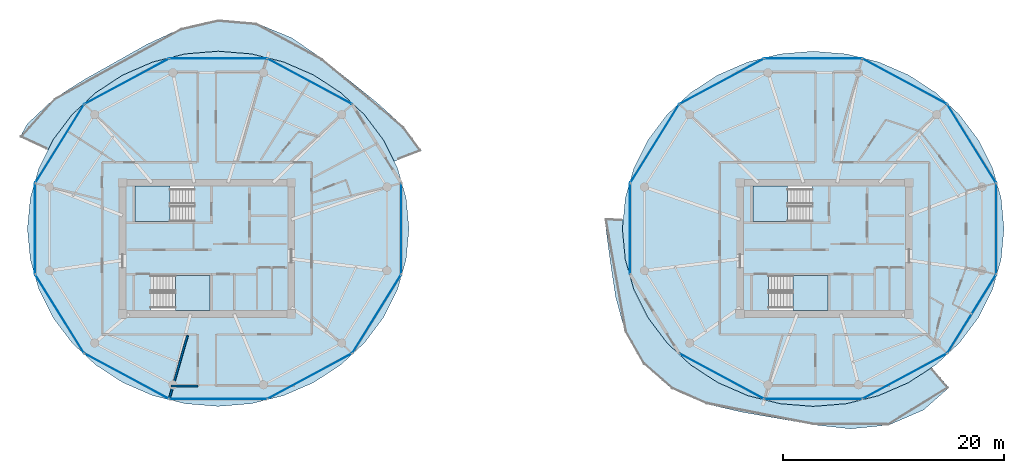
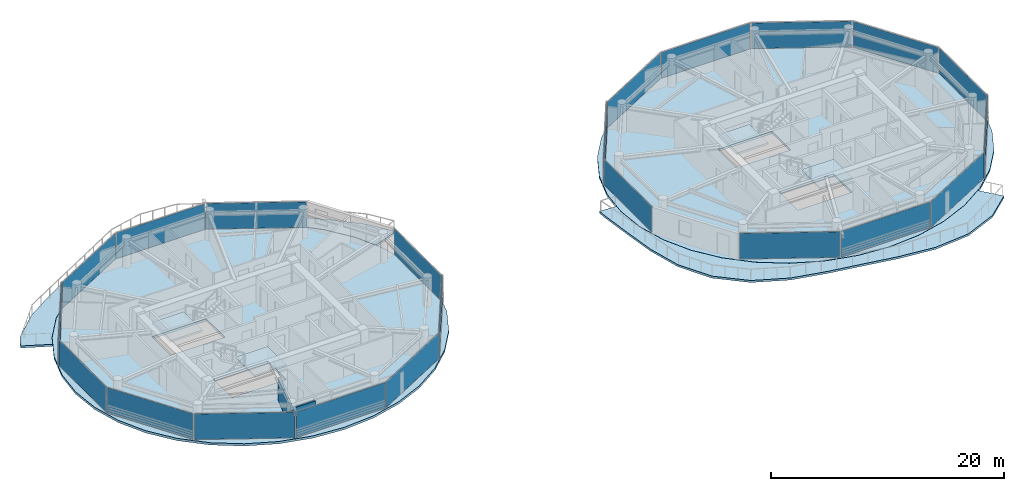
# One storey, part 11 of 21: 22 plates, 8 slabs, 2 walls, 26 elements without a shape of their own.
"""IFC4 building model written with IfcOpenShell, lengths in metres."""

from ifc_helpers import new_model, si_unit, direction, frame, frame_2d, origin, origin_2d, place, context, subcontext, project, spatial, polyline, rectangle, outline, extrude, source, transform, mapped, material, layer, layer_set, type_object, type_shapes, element, aggregate, save


model = new_model("IFC4")

# Units and contexts
model_context = context("Model", 3, precision=1e-05, world=origin(), true_north=direction((0.0, 1.0)))
body_context = subcontext(model_context, "Body", "Model", "MODEL_VIEW")
ifc_project = project(units=[si_unit("LENGTHUNIT", "METRE"), si_unit("AREAUNIT", "SQUARE_METRE"), si_unit("VOLUMEUNIT", "CUBIC_METRE"), si_unit("PLANEANGLEUNIT", "RADIAN"), si_unit("MASSUNIT", "GRAM", prefix="KILO")], contexts=[model_context])

# Site, building, storey
site_placement = place(None, origin())
site = spatial("IfcSite", under=ifc_project, at=site_placement, CompositionType="ELEMENT")
building_placement = place(site_placement, origin())
building = spatial("IfcBuilding", under=site, at=building_placement, Name="Norrkilde Senior Care Towers", CompositionType="ELEMENT")
storey_placement = place(building_placement, frame((0.0, 0.0, 143.449951171875)))
storey = spatial("IfcBuildingStorey", under=building, at=storey_placement, Name="L44", CompositionType="ELEMENT", Elevation=143.449951171875)

# Slabs
ifc_material_1 = material(Name="Concrete C50/60", Category="concrete")
ifc_layer_1 = layer(ifc_material_1, 0.215087890625)
ifc_layer_set_1 = layer_set([ifc_layer_1], Name="Concrete C50/60")
slab_type_1 = type_object("IfcSlabType", Name="Sinusoidal Balcony Ribbon Slab 215", PredefinedType="FLOOR", material=ifc_layer_set_1)
slab_1_placement = place(storey_placement, frame((0.0, 0.0, -0.21484375)))
element("IfcSlab", 1, at=slab_1_placement, inside=storey, type_object=slab_type_1, Name="L44 Drum W Swirling Senior Balcony 1", PredefinedType="FLOOR", context=body_context, shape_type="SweptSolid", body=[
    extrude(outline(polyline([(-41.845947265625, 13.58349609375), (-39.06005859375, 15.34423828125), (-36.265869140625, 16.911376953125), (-33.4345703125, 18.506591796875), (-30.35791015625, 19.9384765625), (-26.97509765625, 20.708251953125), (-23.513916015625, 20.4150390625), (-20.316162109375, 19.0947265625), (-17.534912109375, 17.18896484375), (-15.022705078125, 15.174072265625), (-12.5439453125, 13.186767578125), (-10.1181640625, 10.98828125), (-8.543212890625, 8.8388671875), (-11.017822265625, 7.890380859375), (-11.988525390625, 9.827880859375), (-13.718505859375, 12.12744140625), (-15.8515625, 14.112548828125), (-18.322509765625, 15.72265625), (-21.056396484375, 16.9091796875), (-23.969970703125, 17.6357421875), (-26.97509765625, 17.88037109375), (-29.97998046875, 17.6357421875), (-32.8935546875, 16.9091796875), (-35.62744140625, 15.72265625), (-38.098388671875, 14.112548828125), (-40.2314453125, 12.12744140625), (-41.961669921875, 9.827880859375), (-42.4169921875, 8.9189453125), (-44.946533203125, 10.089111328125), (-44.295654296875, 11.276123046875), (-41.845947265625, 13.58349609375)])), origin(), (0.0, 0.0, 1.0), 0.21484375),
])
slab_2_placement = place(storey_placement, frame((0.0, 0.0, -0.21484375)))
element("IfcSlab", 2, at=slab_2_placement, inside=storey, type_object=slab_type_1, Name="L44 Drum E Swirling Senior Balcony 1", PredefinedType="FLOOR", context=body_context, shape_type="SweptSolid", body=[
    extrude(outline(polyline([(33.797119140625, -16.026123046875), (30.353515625, -16.362060546875), (26.97509765625, -15.994140625), (23.751953125, -15.4140625), (20.549072265625, -14.8564453125), (17.28076171875, -14.11083984375), (14.1513671875, -12.7392578125), (11.5908203125, -10.495361328125), (9.919189453125, -7.56103515625), (9.0556640625, -4.38134765625), (8.5888671875, -1.27587890625), (8.177001953125, 1.775390625), (8.09619140625, 2.7138671875), (9.75048828125, 2.631591796875), (9.669921875, 1.775390625), (9.932861328125, -1.021240234375), (10.713623046875, -3.73291015625), (11.988525390625, -6.277099609375), (13.718505859375, -8.57666015625), (15.8515625, -10.561767578125), (18.322509765625, -12.171875), (21.056396484375, -13.3583984375), (23.969970703125, -14.0849609375), (26.97509765625, -14.32958984375), (29.97998046875, -14.0849609375), (32.8935546875, -13.3583984375), (35.62744140625, -12.171875), (37.718994140625, -10.80908203125), (39.274169921875, -12.630615234375), (36.9658203125, -14.663330078125), (33.797119140625, -16.026123046875)])), origin(), (0.0, 0.0, 1.0), 0.21484375),
])

# Stair, slab
ifc_material_2 = material(Name="Concrete C45/55", Category="concrete")
stair_type = type_object("IfcStairType", Name="Core Protected Dogleg Stair Typical 3050", PredefinedType="HALF_TURN_STAIR", material=ifc_material_2)
stair_1_placement = place(storey_placement, origin())
stair_1 = element("IfcStair", 3, at=stair_1_placement, inside=storey, type_object=stair_type, Name="L44 Protected Core Stair W1", PredefinedType="HALF_TURN_STAIR")
ifc_layer_2 = layer(ifc_material_2, 0.199951171875)
ifc_layer_set_2 = layer_set([ifc_layer_2], Name="Concrete C45/55")
slab_type_2 = type_object("IfcSlabType", Name="Stair Landing Slab 200", PredefinedType="LANDING", material=ifc_layer_set_2)
slab_3_placement = place(storey_placement, frame((0.0, 0.0, 1.324951171875)))
slab_3 = element("IfcSlab", 4, at=slab_3_placement, type_object=slab_type_2, Name="ST-W1 landing 1", PredefinedType="LANDING", context=body_context, shape_type="SweptSolid", body=[
    extrude(outline(polyline([(-31.340087890625, 5.639892578125), (-34.5, 5.639892578125), (-34.5, 2.449951171875), (-31.340087890625, 2.449951171875), (-31.340087890625, 5.639892578125)])), origin(), (0.0, 0.0, 1.0), 0.2001953125),
])
aggregate(stair_1, [slab_3])

stair_2_placement = place(storey_placement, origin())
stair_2 = element("IfcStair", 5, at=stair_2_placement, inside=storey, type_object=stair_type, Name="L44 Protected Core Stair W2", PredefinedType="HALF_TURN_STAIR")
slab_4_placement = place(storey_placement, frame((0.0, 0.0, 1.324951171875)))
slab_4 = element("IfcSlab", 6, at=slab_4_placement, type_object=slab_type_2, Name="ST-W2 landing 1", PredefinedType="LANDING", context=body_context, shape_type="SweptSolid", body=[
    extrude(outline(polyline([(-30.860107421875, -5.639892578125), (-27.699951171875, -5.639892578125), (-27.699951171875, -2.449951171875), (-30.860107421875, -2.449951171875), (-30.860107421875, -5.639892578125)])), origin(), (0.0, 0.0, 1.0), 0.2001953125),
])
aggregate(stair_2, [slab_4])

stair_3_placement = place(storey_placement, origin())
stair_3 = element("IfcStair", 7, at=stair_3_placement, inside=storey, type_object=stair_type, Name="L44 Protected Core Stair E1", PredefinedType="HALF_TURN_STAIR")
slab_5_placement = place(storey_placement, frame((0.0, 0.0, 1.324951171875)))
slab_5 = element("IfcSlab", 8, at=slab_5_placement, type_object=slab_type_2, Name="ST-E1 landing 1", PredefinedType="LANDING", context=body_context, shape_type="SweptSolid", body=[
    extrude(outline(polyline([(24.659912109375, 5.639892578125), (21.5, 5.639892578125), (21.5, 2.449951171875), (24.659912109375, 2.449951171875), (24.659912109375, 5.639892578125)])), origin(), (0.0, 0.0, 1.0), 0.2001953125),
])
aggregate(stair_3, [slab_5])

stair_4_placement = place(storey_placement, origin())
stair_4 = element("IfcStair", 9, at=stair_4_placement, inside=storey, type_object=stair_type, Name="L44 Protected Core Stair E2", PredefinedType="HALF_TURN_STAIR")
slab_6_placement = place(storey_placement, frame((0.0, 0.0, 1.324951171875)))
slab_6 = element("IfcSlab", 10, at=slab_6_placement, type_object=slab_type_2, Name="ST-E2 landing 1", PredefinedType="LANDING", context=body_context, shape_type="SweptSolid", body=[
    extrude(outline(polyline([(25.139892578125, -5.639892578125), (28.300048828125, -5.639892578125), (28.300048828125, -2.449951171875), (25.139892578125, -2.449951171875), (25.139892578125, -5.639892578125)])), origin(), (0.0, 0.0, 1.0), 0.2001953125),
])
aggregate(stair_4, [slab_6])

# Slabs
ifc_layer_3 = layer(ifc_material_1, 0.239990234375)
ifc_layer_set_3 = layer_set([ifc_layer_3], Name="Concrete C50/60")
slab_type_3 = type_object("IfcSlabType", Name="Tower Residence Floor Slab 240", PredefinedType="FLOOR", material=ifc_layer_set_3)
slab_7_placement = place(storey_placement, frame((0.0, 0.0, -0.239990234375)))
element("IfcSlab", 11, at=slab_7_placement, inside=storey, type_object=slab_type_3, Name="L44 Drum W Structural Floor Slab", PredefinedType="FLOOR", context=body_context, shape_type="SweptSolid", body=[
    extrude(outline(polyline([(-10.71826171875, -3.731201171875), (-11.99267578125, -6.274658203125), (-13.722412109375, -8.573486328125), (-15.854736328125, -10.557861328125), (-18.324951171875, -12.167724609375), (-21.05810546875, -13.353759765625), (-23.970947265625, -14.080078125), (-26.97509765625, -14.32470703125), (-29.97900390625, -14.080078125), (-32.891845703125, -13.353759765625), (-35.625, -12.167724609375), (-38.09521484375, -10.557861328125), (-40.2275390625, -8.573486328125), (-41.957275390625, -6.274658203125), (-43.231689453125, -3.731201171875), (-44.01220703125, -1.020263671875), (-44.27490234375, 1.775390625), (-44.01220703125, 4.571044921875), (-43.231689453125, 7.281982421875), (-41.957275390625, 9.825439453125), (-40.2275390625, 12.124267578125), (-38.09521484375, 14.108642578125), (-35.625, 15.71826171875), (-32.891845703125, 16.904296875), (-29.97900390625, 17.630859375), (-26.97509765625, 17.875244140625), (-23.970947265625, 17.630859375), (-21.05810546875, 16.904296875), (-18.324951171875, 15.71826171875), (-15.854736328125, 14.108642578125), (-13.722412109375, 12.124267578125), (-11.99267578125, 9.825439453125), (-10.71826171875, 7.281982421875), (-9.937744140625, 4.571044921875), (-9.675048828125, 1.775390625), (-9.937744140625, -1.020263671875), (-10.71826171875, -3.731201171875)]), holes=[polyline([(-34.48193359375, 2.468017578125), (-29.117919921875, 2.468017578125), (-29.117919921875, 5.639892578125), (-34.48193359375, 5.639892578125), (-34.48193359375, 2.468017578125)]), polyline([(-27.718017578125, -5.639892578125), (-27.718017578125, -2.468017578125), (-33.08203125, -2.468017578125), (-33.08203125, -5.639892578125), (-27.718017578125, -5.639892578125)])]), origin(), (0.0, 0.0, 1.0), 0.239990234375),
])
slab_8_placement = place(storey_placement, frame((0.0, 0.0, -0.239990234375)))
element("IfcSlab", 12, at=slab_8_placement, inside=storey, type_object=slab_type_3, Name="L44 Drum E Structural Floor Slab", PredefinedType="FLOOR", context=body_context, shape_type="SweptSolid", body=[
    extrude(outline(polyline([(43.231689453125, -3.731201171875), (41.957275390625, -6.274658203125), (40.2275390625, -8.573486328125), (38.09521484375, -10.557861328125), (35.625, -12.167724609375), (32.891845703125, -13.353759765625), (29.97900390625, -14.080078125), (26.97509765625, -14.32470703125), (23.970947265625, -14.080078125), (21.05810546875, -13.353759765625), (18.324951171875, -12.167724609375), (15.854736328125, -10.557861328125), (13.722412109375, -8.573486328125), (11.99267578125, -6.274658203125), (10.71826171875, -3.731201171875), (9.937744140625, -1.020263671875), (9.675048828125, 1.775390625), (9.937744140625, 4.571044921875), (10.71826171875, 7.281982421875), (11.99267578125, 9.825439453125), (13.722412109375, 12.124267578125), (15.854736328125, 14.108642578125), (18.324951171875, 15.71826171875), (21.05810546875, 16.904296875), (23.970947265625, 17.630859375), (26.97509765625, 17.875244140625), (29.97900390625, 17.630859375), (32.891845703125, 16.904296875), (35.625, 15.71826171875), (38.09521484375, 14.108642578125), (40.2275390625, 12.124267578125), (41.957275390625, 9.825439453125), (43.231689453125, 7.281982421875), (44.01220703125, 4.571044921875), (44.27490234375, 1.775390625), (44.01220703125, -1.020263671875), (43.231689453125, -3.731201171875)]), holes=[polyline([(21.51806640625, 2.468017578125), (26.882080078125, 2.468017578125), (26.882080078125, 5.639892578125), (21.51806640625, 5.639892578125), (21.51806640625, 2.468017578125)]), polyline([(28.281982421875, -5.639892578125), (28.281982421875, -2.468017578125), (22.91796875, -2.468017578125), (22.91796875, -5.639892578125), (28.281982421875, -5.639892578125)])]), origin(), (0.0, 0.0, 1.0), 0.239990234375),
])

# Curtain wall, plate
ifc_material_3 = material(Name="Triple Low-E Insulated Glazing", Category="glass")
ifc_layer_4 = layer(ifc_material_3, 0.18994140625)
ifc_layer_set_4 = layer_set([ifc_layer_4], Name="Triple Low-E Insulated Glazing")
curtain_wall_type = type_object("IfcCurtainWallType", Name="CW4 Zone 3 Senior Residence Curtain Wall", PredefinedType="NOTDEFINED", material=ifc_layer_set_4)
curtain_wall_1_placement = place(storey_placement, origin())
curtain_wall_1 = element("IfcCurtainWall", 13, at=curtain_wall_1_placement, inside=storey, type_object=curtain_wall_type, Name="L44 Drum W Curtain Wall 04", PredefinedType="NOTDEFINED")
ifc_layer_5 = layer(ifc_material_3, 0.035888671875)
ifc_layer_set_5 = layer_set([ifc_layer_5], Name="Triple Low-E Insulated Glazing")
plate_type = type_object("IfcPlateType", Name="Triple Low-E Vision Curtain Panel 36", PredefinedType="CURTAIN_PANEL", material=ifc_layer_set_5)
shared_shape_1 = source(origin(), body_context, "Body", "SweptSolid", [
    extrude(rectangle(XDim=8.301513671875, YDim=0.035888671875, at=origin_2d()), origin(), (0.0, 0.0, 1.0), 2.68994140625),
])
plate_1_placement = place(storey_placement, frame((-41.346435546875, 9.4931640625, 0.06005859375), z_axis=(0.0, 0.0, 1.0), x_axis=(0.52737270789, 0.84963405474, 0.0)))
plate_1 = element("IfcPlate", 14, at=plate_1_placement, type_object=plate_type, Name="CW-4 panel 1.1", PredefinedType="CURTAIN_PANEL", context=body_context, shape_type="MappedRepresentation", body=[
    mapped(shared_shape_1, transform((0.0, 0.0, 0.0), x_axis=(1.0, 0.0, 0.0), y_axis=(0.0, 1.0, 0.0), z_axis=(0.0, 0.0, 1.0), scale=1.0)),
])
aggregate(curtain_wall_1, [plate_1])

curtain_wall_2_placement = place(storey_placement, origin())
curtain_wall_2 = element("IfcCurtainWall", 15, at=curtain_wall_2_placement, inside=storey, type_object=curtain_wall_type, Name="L44 Drum W Curtain Wall 06", PredefinedType="NOTDEFINED")
plate_2_placement = place(storey_placement, frame((-41.346435546875, -5.9423828125, 0.06005859375), z_axis=(0.0, 0.0, 1.0), x_axis=(-0.52737270789, 0.84963405474, 0.0)))
plate_2 = element("IfcPlate", 16, at=plate_2_placement, type_object=plate_type, Name="CW-4 panel 1.1", PredefinedType="CURTAIN_PANEL", context=body_context, shape_type="MappedRepresentation", body=[
    mapped(shared_shape_1, transform((0.0, 0.0, 0.0), x_axis=(1.0, 0.0, 0.0), y_axis=(0.0, 1.0, 0.0), z_axis=(0.0, 0.0, 1.0), scale=1.0)),
])
aggregate(curtain_wall_2, [plate_2])

curtain_wall_3_placement = place(storey_placement, origin())
curtain_wall_3 = element("IfcCurtainWall", 17, at=curtain_wall_3_placement, inside=storey, type_object=curtain_wall_type, Name="L44 Drum W Curtain Wall 10", PredefinedType="NOTDEFINED")
plate_3_placement = place(storey_placement, frame((-12.603759765625, -5.9423828125, 0.06005859375), z_axis=(0.0, 0.0, 1.0), x_axis=(-0.52737270789, -0.84963405474, 0.0)))
plate_3 = element("IfcPlate", 18, at=plate_3_placement, type_object=plate_type, Name="CW-4 panel 1.1", PredefinedType="CURTAIN_PANEL", context=body_context, shape_type="MappedRepresentation", body=[
    mapped(shared_shape_1, transform((0.0, 0.0, 0.0), x_axis=(1.0, 0.0, 0.0), y_axis=(0.0, 1.0, 0.0), z_axis=(0.0, 0.0, 1.0), scale=1.0)),
])
aggregate(curtain_wall_3, [plate_3])

curtain_wall_4_placement = place(storey_placement, origin())
curtain_wall_4 = element("IfcCurtainWall", 19, at=curtain_wall_4_placement, inside=storey, type_object=curtain_wall_type, Name="L44 Drum E Curtain Wall 00", PredefinedType="NOTDEFINED")
plate_4_placement = place(storey_placement, frame((41.346435546875, 9.4931640625, 0.06005859375), z_axis=(0.0, 0.0, 1.0), x_axis=(0.52737270789, -0.84963405474, 0.0)))
plate_4 = element("IfcPlate", 20, at=plate_4_placement, type_object=plate_type, Name="CW-4 panel 1.1", PredefinedType="CURTAIN_PANEL", context=body_context, shape_type="MappedRepresentation", body=[
    mapped(shared_shape_1, transform((0.0, 0.0, 0.0), x_axis=(1.0, 0.0, 0.0), y_axis=(0.0, 1.0, 0.0), z_axis=(0.0, 0.0, 1.0), scale=1.0)),
])
aggregate(curtain_wall_4, [plate_4])

curtain_wall_5_placement = place(storey_placement, origin())
curtain_wall_5 = element("IfcCurtainWall", 21, at=curtain_wall_5_placement, inside=storey, type_object=curtain_wall_type, Name="L44 Drum E Curtain Wall 04", PredefinedType="NOTDEFINED")
plate_5_placement = place(storey_placement, frame((12.603759765625, 9.4931640625, 0.06005859375), z_axis=(0.0, 0.0, 1.0), x_axis=(0.52737270789, 0.84963405474, 0.0)))
plate_5 = element("IfcPlate", 22, at=plate_5_placement, type_object=plate_type, Name="CW-4 panel 1.1", PredefinedType="CURTAIN_PANEL", context=body_context, shape_type="MappedRepresentation", body=[
    mapped(shared_shape_1, transform((0.0, 0.0, 0.0), x_axis=(1.0, 0.0, 0.0), y_axis=(0.0, 1.0, 0.0), z_axis=(0.0, 0.0, 1.0), scale=1.0)),
])
aggregate(curtain_wall_5, [plate_5])

curtain_wall_6_placement = place(storey_placement, origin())
curtain_wall_6 = element("IfcCurtainWall", 23, at=curtain_wall_6_placement, inside=storey, type_object=curtain_wall_type, Name="L44 Drum E Curtain Wall 10", PredefinedType="NOTDEFINED")
plate_6_placement = place(storey_placement, frame((41.346435546875, -5.9423828125, 0.06005859375), z_axis=(0.0, 0.0, 1.0), x_axis=(-0.52737270789, -0.84963405474, 0.0)))
plate_6 = element("IfcPlate", 24, at=plate_6_placement, type_object=plate_type, Name="CW-4 panel 1.1", PredefinedType="CURTAIN_PANEL", context=body_context, shape_type="MappedRepresentation", body=[
    mapped(shared_shape_1, transform((0.0, 0.0, 0.0), x_axis=(1.0, 0.0, 0.0), y_axis=(0.0, 1.0, 0.0), z_axis=(0.0, 0.0, 1.0), scale=1.0)),
])
aggregate(curtain_wall_6, [plate_6])

curtain_wall_7_placement = place(storey_placement, origin())
curtain_wall_7 = element("IfcCurtainWall", 25, at=curtain_wall_7_placement, inside=storey, type_object=curtain_wall_type, Name="L44 Drum W Curtain Wall 01", PredefinedType="NOTDEFINED")
shared_shape_2 = source(origin(), body_context, "Body", "SweptSolid", [
    extrude(rectangle(XDim=8.61181640625, YDim=0.035888671875, at=origin_2d()), origin(), (0.0, 0.0, 1.0), 2.68994140625),
])
plate_7_placement = place(storey_placement, frame((-18.677734375, 15.142822265625, 0.06005859375), z_axis=(0.0, 0.0, 1.0), x_axis=(0.880999524059, -0.47311715104, 0.0)))
plate_7 = element("IfcPlate", 26, at=plate_7_placement, type_object=plate_type, Name="CW-4 panel 1.1", PredefinedType="CURTAIN_PANEL", context=body_context, shape_type="MappedRepresentation", body=[
    mapped(shared_shape_2, transform((0.0, 0.0, 0.0), x_axis=(1.0, 0.0, 0.0), y_axis=(0.0, 1.0, 0.0), z_axis=(0.0, 0.0, 1.0), scale=1.0)),
])
aggregate(curtain_wall_7, [plate_7])

curtain_wall_8_placement = place(storey_placement, origin())
curtain_wall_8 = element("IfcCurtainWall", 27, at=curtain_wall_8_placement, inside=storey, type_object=curtain_wall_type, Name="L44 Drum W Curtain Wall 03", PredefinedType="NOTDEFINED")
plate_8_placement = place(storey_placement, frame((-35.272216796875, 15.142822265625, 0.06005859375), z_axis=(0.0, 0.0, 1.0), x_axis=(0.880999524059, 0.47311715104, 0.0)))
plate_8 = element("IfcPlate", 28, at=plate_8_placement, type_object=plate_type, Name="CW-4 panel 1.1", PredefinedType="CURTAIN_PANEL", context=body_context, shape_type="MappedRepresentation", body=[
    mapped(shared_shape_2, transform((0.0, 0.0, 0.0), x_axis=(1.0, 0.0, 0.0), y_axis=(0.0, 1.0, 0.0), z_axis=(0.0, 0.0, 1.0), scale=1.0)),
])
aggregate(curtain_wall_8, [plate_8])

curtain_wall_9_placement = place(storey_placement, origin())
curtain_wall_9 = element("IfcCurtainWall", 29, at=curtain_wall_9_placement, inside=storey, type_object=curtain_wall_type, Name="L44 Drum W Curtain Wall 07", PredefinedType="NOTDEFINED")
plate_9_placement = place(storey_placement, frame((-35.272216796875, -11.59228515625, 0.06005859375), z_axis=(0.0, 0.0, 1.0), x_axis=(-0.880999524059, 0.47311715104, 0.0)))
plate_9 = element("IfcPlate", 30, at=plate_9_placement, type_object=plate_type, Name="CW-4 panel 1.1", PredefinedType="CURTAIN_PANEL", context=body_context, shape_type="MappedRepresentation", body=[
    mapped(shared_shape_2, transform((0.0, 0.0, 0.0), x_axis=(1.0, 0.0, 0.0), y_axis=(0.0, 1.0, 0.0), z_axis=(0.0, 0.0, 1.0), scale=1.0)),
])
aggregate(curtain_wall_9, [plate_9])

curtain_wall_10_placement = place(storey_placement, origin())
curtain_wall_10 = element("IfcCurtainWall", 31, at=curtain_wall_10_placement, inside=storey, type_object=curtain_wall_type, Name="L44 Drum W Curtain Wall 09", PredefinedType="NOTDEFINED")
plate_10_placement = place(storey_placement, frame((-18.677734375, -11.59228515625, 0.06005859375), z_axis=(0.0, 0.0, 1.0), x_axis=(-0.880999524059, -0.47311715104, 0.0)))
plate_10 = element("IfcPlate", 32, at=plate_10_placement, type_object=plate_type, Name="CW-4 panel 1.1", PredefinedType="CURTAIN_PANEL", context=body_context, shape_type="MappedRepresentation", body=[
    mapped(shared_shape_2, transform((0.0, 0.0, 0.0), x_axis=(1.0, 0.0, 0.0), y_axis=(0.0, 1.0, 0.0), z_axis=(0.0, 0.0, 1.0), scale=1.0)),
])
aggregate(curtain_wall_10, [plate_10])

curtain_wall_11_placement = place(storey_placement, origin())
curtain_wall_11 = element("IfcCurtainWall", 33, at=curtain_wall_11_placement, inside=storey, type_object=curtain_wall_type, Name="L44 Drum E Curtain Wall 01", PredefinedType="NOTDEFINED")
plate_11_placement = place(storey_placement, frame((35.272216796875, 15.142822265625, 0.06005859375), z_axis=(0.0, 0.0, 1.0), x_axis=(0.880999524059, -0.47311715104, 0.0)))
plate_11 = element("IfcPlate", 34, at=plate_11_placement, type_object=plate_type, Name="CW-4 panel 1.1", PredefinedType="CURTAIN_PANEL", context=body_context, shape_type="MappedRepresentation", body=[
    mapped(shared_shape_2, transform((0.0, 0.0, 0.0), x_axis=(1.0, 0.0, 0.0), y_axis=(0.0, 1.0, 0.0), z_axis=(0.0, 0.0, 1.0), scale=1.0)),
])
aggregate(curtain_wall_11, [plate_11])

curtain_wall_12_placement = place(storey_placement, origin())
curtain_wall_12 = element("IfcCurtainWall", 35, at=curtain_wall_12_placement, inside=storey, type_object=curtain_wall_type, Name="L44 Drum E Curtain Wall 03", PredefinedType="NOTDEFINED")
plate_12_placement = place(storey_placement, frame((18.677734375, 15.142822265625, 0.06005859375), z_axis=(0.0, 0.0, 1.0), x_axis=(0.880999524059, 0.47311715104, 0.0)))
plate_12 = element("IfcPlate", 36, at=plate_12_placement, type_object=plate_type, Name="CW-4 panel 1.1", PredefinedType="CURTAIN_PANEL", context=body_context, shape_type="MappedRepresentation", body=[
    mapped(shared_shape_2, transform((0.0, 0.0, 0.0), x_axis=(1.0, 0.0, 0.0), y_axis=(0.0, 1.0, 0.0), z_axis=(0.0, 0.0, 1.0), scale=1.0)),
])
aggregate(curtain_wall_12, [plate_12])

curtain_wall_13_placement = place(storey_placement, origin())
curtain_wall_13 = element("IfcCurtainWall", 37, at=curtain_wall_13_placement, inside=storey, type_object=curtain_wall_type, Name="L44 Drum E Curtain Wall 07", PredefinedType="NOTDEFINED")
plate_13_placement = place(storey_placement, frame((18.677734375, -11.59228515625, 0.06005859375), z_axis=(0.0, 0.0, 1.0), x_axis=(-0.880999524059, 0.47311715104, 0.0)))
plate_13 = element("IfcPlate", 38, at=plate_13_placement, type_object=plate_type, Name="CW-4 panel 1.1", PredefinedType="CURTAIN_PANEL", context=body_context, shape_type="MappedRepresentation", body=[
    mapped(shared_shape_2, transform((0.0, 0.0, 0.0), x_axis=(1.0, 0.0, 0.0), y_axis=(0.0, 1.0, 0.0), z_axis=(0.0, 0.0, 1.0), scale=1.0)),
])
aggregate(curtain_wall_13, [plate_13])

curtain_wall_14_placement = place(storey_placement, origin())
curtain_wall_14 = element("IfcCurtainWall", 39, at=curtain_wall_14_placement, inside=storey, type_object=curtain_wall_type, Name="L44 Drum E Curtain Wall 09", PredefinedType="NOTDEFINED")
plate_14_placement = place(storey_placement, frame((35.272216796875, -11.59228515625, 0.06005859375), z_axis=(0.0, 0.0, 1.0), x_axis=(-0.880999524059, -0.47311715104, 0.0)))
plate_14 = element("IfcPlate", 40, at=plate_14_placement, type_object=plate_type, Name="CW-4 panel 1.1", PredefinedType="CURTAIN_PANEL", context=body_context, shape_type="MappedRepresentation", body=[
    mapped(shared_shape_2, transform((0.0, 0.0, 0.0), x_axis=(1.0, 0.0, 0.0), y_axis=(0.0, 1.0, 0.0), z_axis=(0.0, 0.0, 1.0), scale=1.0)),
])
aggregate(curtain_wall_14, [plate_14])

curtain_wall_15_placement = place(storey_placement, origin())
curtain_wall_15 = element("IfcCurtainWall", 41, at=curtain_wall_15_placement, inside=storey, type_object=curtain_wall_type, Name="L44 Drum W Curtain Wall 02", PredefinedType="NOTDEFINED")
shared_shape_3 = source(origin(), body_context, "Body", "SweptSolid", [
    extrude(rectangle(XDim=8.762939453125, YDim=0.035888671875, at=origin_2d()), origin(), (0.0, 0.0, 1.0), 2.68994140625),
])
plate_15_placement = place(storey_placement, frame((-26.97509765625, 17.2109375, 0.06005859375), z_axis=(0.0, 0.0, 1.0), x_axis=(1.0, 0.0, 0.0)))
plate_15 = element("IfcPlate", 42, at=plate_15_placement, type_object=plate_type, Name="CW-4 panel 1.1", PredefinedType="CURTAIN_PANEL", context=body_context, shape_type="MappedRepresentation", body=[
    mapped(shared_shape_3, transform((0.0, 0.0, 0.0), x_axis=(1.0, 0.0, 0.0), y_axis=(0.0, 1.0, 0.0), z_axis=(0.0, 0.0, 1.0), scale=1.0)),
])
aggregate(curtain_wall_15, [plate_15])

curtain_wall_16_placement = place(storey_placement, origin())
curtain_wall_16 = element("IfcCurtainWall", 43, at=curtain_wall_16_placement, inside=storey, type_object=curtain_wall_type, Name="L44 Drum W Curtain Wall 08", PredefinedType="NOTDEFINED")
plate_16_placement = place(storey_placement, frame((-26.97509765625, -13.66015625, 0.06005859375), z_axis=(0.0, 0.0, 1.0), x_axis=(-1.0, 0.0, 0.0)))
plate_16 = element("IfcPlate", 44, at=plate_16_placement, type_object=plate_type, Name="CW-4 panel 1.1", PredefinedType="CURTAIN_PANEL", context=body_context, shape_type="MappedRepresentation", body=[
    mapped(shared_shape_3, transform((0.0, 0.0, 0.0), x_axis=(1.0, 0.0, 0.0), y_axis=(0.0, 1.0, 0.0), z_axis=(0.0, 0.0, 1.0), scale=1.0)),
])
aggregate(curtain_wall_16, [plate_16])

curtain_wall_17_placement = place(storey_placement, origin())
curtain_wall_17 = element("IfcCurtainWall", 45, at=curtain_wall_17_placement, inside=storey, type_object=curtain_wall_type, Name="L44 Drum E Curtain Wall 02", PredefinedType="NOTDEFINED")
plate_17_placement = place(storey_placement, frame((26.97509765625, 17.2109375, 0.06005859375), z_axis=(0.0, 0.0, 1.0), x_axis=(1.0, 0.0, 0.0)))
plate_17 = element("IfcPlate", 46, at=plate_17_placement, type_object=plate_type, Name="CW-4 panel 1.1", PredefinedType="CURTAIN_PANEL", context=body_context, shape_type="MappedRepresentation", body=[
    mapped(shared_shape_3, transform((0.0, 0.0, 0.0), x_axis=(1.0, 0.0, 0.0), y_axis=(0.0, 1.0, 0.0), z_axis=(0.0, 0.0, 1.0), scale=1.0)),
])
aggregate(curtain_wall_17, [plate_17])

curtain_wall_18_placement = place(storey_placement, origin())
curtain_wall_18 = element("IfcCurtainWall", 47, at=curtain_wall_18_placement, inside=storey, type_object=curtain_wall_type, Name="L44 Drum E Curtain Wall 08", PredefinedType="NOTDEFINED")
plate_18_placement = place(storey_placement, frame((26.97509765625, -13.66015625, 0.06005859375), z_axis=(0.0, 0.0, 1.0), x_axis=(-1.0, 0.0, 0.0)))
plate_18 = element("IfcPlate", 48, at=plate_18_placement, type_object=plate_type, Name="CW-4 panel 1.1", PredefinedType="CURTAIN_PANEL", context=body_context, shape_type="MappedRepresentation", body=[
    mapped(shared_shape_3, transform((0.0, 0.0, 0.0), x_axis=(1.0, 0.0, 0.0), y_axis=(0.0, 1.0, 0.0), z_axis=(0.0, 0.0, 1.0), scale=1.0)),
])
aggregate(curtain_wall_18, [plate_18])

curtain_wall_19_placement = place(storey_placement, origin())
curtain_wall_19 = element("IfcCurtainWall", 49, at=curtain_wall_19_placement, inside=storey, type_object=curtain_wall_type, Name="L44 Drum W Curtain Wall 05", PredefinedType="NOTDEFINED")
shared_shape_4 = source(origin(), body_context, "Body", "SweptSolid", [
    extrude(rectangle(XDim=8.141845703125, YDim=0.035888671875, at=origin_2d()), origin(), (0.0, 0.0, 1.0), 2.68994140625),
])
type_shapes(plate_type, [shared_shape_1, shared_shape_2, shared_shape_3, shared_shape_4])
plate_19_placement = place(storey_placement, frame((-43.569580078125, 1.775390625, 0.06005859375), z_axis=(0.0, 0.0, 1.0), x_axis=(0.0, 1.0, 0.0)))
plate_19 = element("IfcPlate", 50, at=plate_19_placement, type_object=plate_type, Name="CW-4 panel 1.1", PredefinedType="CURTAIN_PANEL", context=body_context, shape_type="MappedRepresentation", body=[
    mapped(shared_shape_4, transform((0.0, 0.0, 0.0), x_axis=(1.0, 0.0, 0.0), y_axis=(0.0, 1.0, 0.0), z_axis=(0.0, 0.0, 1.0), scale=1.0)),
])
aggregate(curtain_wall_19, [plate_19])

curtain_wall_20_placement = place(storey_placement, origin())
curtain_wall_20 = element("IfcCurtainWall", 51, at=curtain_wall_20_placement, inside=storey, type_object=curtain_wall_type, Name="L44 Drum W Curtain Wall 11", PredefinedType="NOTDEFINED")
plate_20_placement = place(storey_placement, frame((-10.38037109375, 1.775390625, 0.06005859375), z_axis=(0.0, 0.0, 1.0), x_axis=(0.0, -1.0, 0.0)))
plate_20 = element("IfcPlate", 52, at=plate_20_placement, type_object=plate_type, Name="CW-4 panel 1.1", PredefinedType="CURTAIN_PANEL", context=body_context, shape_type="MappedRepresentation", body=[
    mapped(shared_shape_4, transform((0.0, 0.0, 0.0), x_axis=(1.0, 0.0, 0.0), y_axis=(0.0, 1.0, 0.0), z_axis=(0.0, 0.0, 1.0), scale=1.0)),
])
aggregate(curtain_wall_20, [plate_20])

curtain_wall_21_placement = place(storey_placement, origin())
curtain_wall_21 = element("IfcCurtainWall", 53, at=curtain_wall_21_placement, inside=storey, type_object=curtain_wall_type, Name="L44 Drum E Curtain Wall 05", PredefinedType="NOTDEFINED")
plate_21_placement = place(storey_placement, frame((10.38037109375, 1.775390625, 0.06005859375), z_axis=(0.0, 0.0, 1.0), x_axis=(0.0, 1.0, 0.0)))
plate_21 = element("IfcPlate", 54, at=plate_21_placement, type_object=plate_type, Name="CW-4 panel 1.1", PredefinedType="CURTAIN_PANEL", context=body_context, shape_type="MappedRepresentation", body=[
    mapped(shared_shape_4, transform((0.0, 0.0, 0.0), x_axis=(1.0, 0.0, 0.0), y_axis=(0.0, 1.0, 0.0), z_axis=(0.0, 0.0, 1.0), scale=1.0)),
])
aggregate(curtain_wall_21, [plate_21])

curtain_wall_22_placement = place(storey_placement, origin())
curtain_wall_22 = element("IfcCurtainWall", 55, at=curtain_wall_22_placement, inside=storey, type_object=curtain_wall_type, Name="L44 Drum E Curtain Wall 11", PredefinedType="NOTDEFINED")
plate_22_placement = place(storey_placement, frame((43.569580078125, 1.775390625, 0.06005859375), z_axis=(0.0, 0.0, 1.0), x_axis=(0.0, -1.0, 0.0)))
plate_22 = element("IfcPlate", 56, at=plate_22_placement, type_object=plate_type, Name="CW-4 panel 1.1", PredefinedType="CURTAIN_PANEL", context=body_context, shape_type="MappedRepresentation", body=[
    mapped(shared_shape_4, transform((0.0, 0.0, 0.0), x_axis=(1.0, 0.0, 0.0), y_axis=(0.0, 1.0, 0.0), z_axis=(0.0, 0.0, 1.0), scale=1.0)),
])
aggregate(curtain_wall_22, [plate_22])

# Walls
ifc_material_4 = material(Name="Gypsum Acoustic Board")
ifc_layer_6 = layer(ifc_material_4, 0.1650390625)
ifc_layer_set_6 = layer_set([ifc_layer_6], Name="Gypsum Acoustic Board")
wall_type = type_object("IfcWallType", Name="Corridor Rated Partition 165", PredefinedType="PARTITIONING", material=ifc_layer_set_6)
shared_shape_5 = source(origin(), body_context, "Body", "SweptSolid", [
    extrude(rectangle(XDim=6.035400390625, YDim=0.1650390625, at=frame_2d((3.017578125, 0.0))), origin(), (0.0, 0.0, 1.0), 2.344970703125),
])
wall_1_placement = place(storey_placement, frame((-29.756103515625, -7.8798828125, 0.0), z_axis=(0.0, 0.0, 1.0), x_axis=(-0.276809454862, -0.960924828329, 0.0)))
element("IfcWall", 57, at=wall_1_placement, inside=storey, type_object=wall_type, Name="WL-INT-L44-W-DEM-08-0", PredefinedType="PARTITIONING", context=body_context, shape_type="MappedRepresentation", body=[
    mapped(shared_shape_5, transform((0.0, 0.0, 0.0), x_axis=(1.0, 0.0, 0.0), y_axis=(0.0, 1.0, 0.0), z_axis=(0.0, 0.0, 1.0), scale=1.0)),
])
shared_shape_6 = source(origin(), body_context, "Body", "SweptSolid", [
    extrude(rectangle(XDim=2.418701171875, YDim=0.1650390625, at=frame_2d((1.20947265625, 0.0))), origin(), (0.0, 0.0, 1.0), 2.344970703125),
])
type_shapes(wall_type, [shared_shape_5, shared_shape_6])
wall_2_placement = place(storey_placement, frame((-31.23876953125, -12.484619140625, 0.0), z_axis=(0.0, 0.0, 1.0), x_axis=(1.0, 0.0, 0.0)))
element("IfcWall", 58, at=wall_2_placement, inside=storey, type_object=wall_type, Name="WL-INT-L44-W-PKH-SWL-0", PredefinedType="PARTITIONING", context=body_context, shape_type="MappedRepresentation", body=[
    mapped(shared_shape_6, transform((0.0, 0.0, 0.0), x_axis=(1.0, 0.0, 0.0), y_axis=(0.0, 1.0, 0.0), z_axis=(0.0, 0.0, 1.0), scale=1.0)),
])

save(model, "model.ifc")
